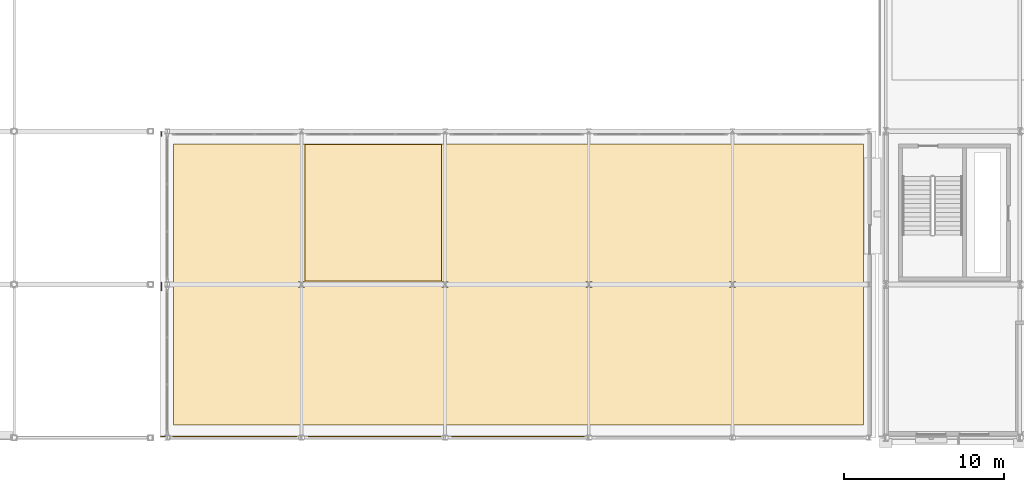
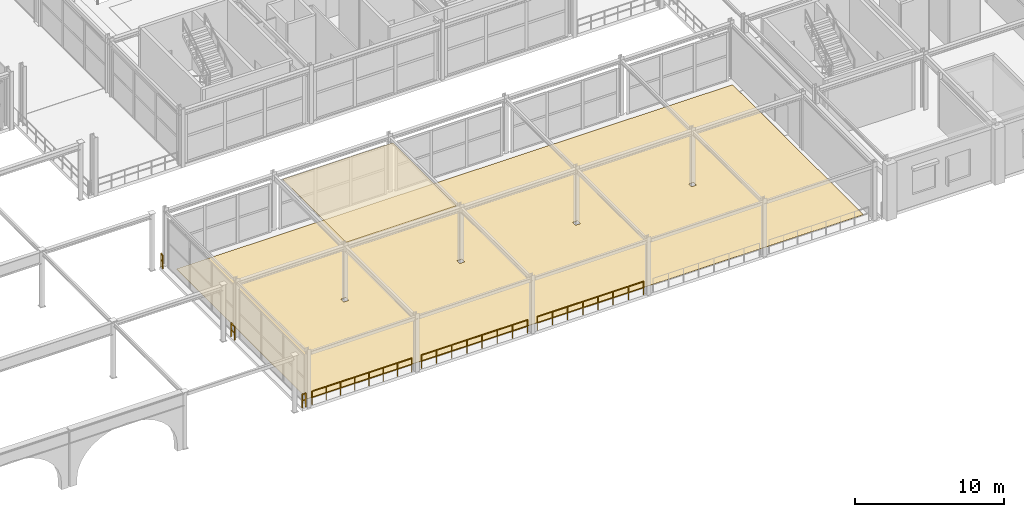
# One storey, part 96 of 125: 6 railings, 2 coverings.
"""IFC4 building model written with IfcOpenShell, lengths in metres."""

from ifc_helpers import new_model, si_unit, direction, frame, origin, origin_2d, place, context, subcontext, project, spatial, polyline, rectangle, outline, extrude, material, layer, layer_set, type_object, element, save


model = new_model("IFC4")

# Units and contexts
model_context = context("Model", 3, precision=1e-05, world=origin(), true_north=direction((0.0, 1.0)))
body_context = subcontext(model_context, "Body", "Model", "MODEL_VIEW")
ifc_project = project(units=[si_unit("LENGTHUNIT", "METRE"), si_unit("AREAUNIT", "SQUARE_METRE"), si_unit("VOLUMEUNIT", "CUBIC_METRE"), si_unit("PLANEANGLEUNIT", "RADIAN"), si_unit("MASSUNIT", "GRAM", prefix="KILO")], contexts=[model_context])

# Site, building, storey
site_placement = place(None, origin())
site = spatial("IfcSite", under=ifc_project, at=site_placement, CompositionType="ELEMENT")
building_placement = place(site_placement, origin())
building = spatial("IfcBuilding", under=site, at=building_placement, Name="Myrtia Square Station", CompositionType="ELEMENT")
storey_placement = place(building_placement, frame((0.0, 0.0, 6.0)))
storey = spatial("IfcBuildingStorey", under=building, at=storey_placement, Name="L01", CompositionType="ELEMENT", Elevation=6.0)

# Coverings
ifc_material_1 = material(Name="Gypsum plasterboard")
ifc_layer_1 = layer(ifc_material_1, 0.034912109375, Name="Gypsum plasterboard")
ifc_layer_set_1 = layer_set([ifc_layer_1], Name="Gypsum plasterboard")
covering_type_1 = type_object("IfcCoveringType", Name="COV-CEIL-ACOUSTIC", PredefinedType="CEILING", material=ifc_layer_set_1)
covering_1_placement = place(storey_placement, frame((0.0, 0.0, 4.5)))
element("IfcCovering", 1, at=covering_1_placement, inside=storey, type_object=covering_type_1, Name="Acoustic coffer ceiling L01-09", PredefinedType="CEILING", context=body_context, shape_type="SweptSolid", body=[
    extrude(outline(polyline([(89.780029296875, 18.35009765625), (89.780029296875, 9.820068359375), (81.219970703125, 9.820068359375), (81.219970703125, 18.35009765625), (89.780029296875, 18.35009765625)])), origin(), (0.0, 0.0, 1.0), 0.034912109375),
])
ifc_material_2 = material(Name="Terrazzo stone tile", Category="masonry")
ifc_layer_2 = layer(ifc_material_2, 0.02490234375, Name="Terrazzo stone tile")
ifc_layer_set_2 = layer_set([ifc_layer_2], Name="Terrazzo stone tile")
covering_type_2 = type_object("IfcCoveringType", Name="COV-FLR-TERRAZZO", PredefinedType="FLOORING", material=ifc_layer_set_2)
covering_2_placement = place(storey_placement, origin())
element("IfcCovering", 2, at=covering_2_placement, inside=storey, type_object=covering_type_2, Name="Terrazzo room flooring L01-09", PredefinedType="FLOORING", context=body_context, shape_type="SweptSolid", body=[
    extrude(outline(polyline([(73.0, 18.39990234375), (116.199951171875, 18.39990234375), (116.199951171875, 0.800048828125), (73.0, 0.800048828125), (73.0, 18.39990234375)]), holes=[polyline([(81.18994140625, 9.409912109375), (81.18994140625, 9.7900390625), (80.81005859375, 9.7900390625), (80.81005859375, 9.409912109375), (81.18994140625, 9.409912109375)]), polyline([(99.18994140625, 9.7900390625), (98.81005859375, 9.7900390625), (98.81005859375, 9.409912109375), (99.18994140625, 9.409912109375), (99.18994140625, 9.7900390625)]), polyline([(90.18994140625, 9.409912109375), (90.18994140625, 9.7900390625), (89.81005859375, 9.7900390625), (89.81005859375, 9.409912109375), (90.18994140625, 9.409912109375)]), polyline([(108.18994140625, 9.409912109375), (108.18994140625, 9.7900390625), (107.81005859375, 9.7900390625), (107.81005859375, 9.409912109375), (108.18994140625, 9.409912109375)])]), origin(), (0.0, 0.0, 1.0), 0.02490234375),
])

# Railings
ifc_material_3 = material(Name="Wrought iron", Category="steel")
railing_type = type_object("IfcRailingType", Name="RL-INT-GUARD-1100", PredefinedType="BALUSTRADE", material=ifc_material_3)
railing_1_placement = place(storey_placement, frame((72.199951171875, 0.080078125, 0.0)))
element("IfcRailing", 3, at=railing_1_placement, inside=storey, type_object=railing_type, Name="Perimeter slab edge balustrade L01-028", PredefinedType="BALUSTRADE", context=body_context, shape_type="SweptSolid", body=[
    extrude(rectangle(XDim=0.048095703125, YDim=0.048095703125, at=origin_2d()), frame((0.03466796875, 0.0, 1.09619140625), z_axis=(1.0, 0.0, 0.0), x_axis=(0.0, 1.0, 0.0)), (0.0, 0.0, 1.0), 0.1806640625),
    extrude(rectangle(XDim=0.048095703125, YDim=0.048095703125, at=origin_2d()), frame((0.03466796875, 0.0, 0.58251953125), z_axis=(1.0, 0.0, 0.0), x_axis=(0.0, 1.0, 0.0)), (0.0, 0.0, 1.0), 0.1806640625),
    extrude(rectangle(XDim=0.0439453125, YDim=0.0439453125, at=origin_2d()), origin(), (0.0, 0.0, 1.0), 1.1201171875),
    extrude(rectangle(XDim=0.0439453125, YDim=0.0439453125, at=origin_2d()), frame((0.25, 0.0, 0.0)), (0.0, 0.0, 1.0), 1.1201171875),
])
railing_2_placement = place(storey_placement, frame((72.949951171875, 0.080078125, 0.0)))
element("IfcRailing", 4, at=railing_2_placement, inside=storey, type_object=railing_type, Name="Perimeter slab edge balustrade L01-029", PredefinedType="BALUSTRADE", context=body_context, shape_type="SweptSolid", body=[
    extrude(rectangle(XDim=0.048095703125, YDim=0.048095703125, at=origin_2d()), frame((0.03466796875, 0.0, 1.09619140625), z_axis=(1.0, 0.0, 0.0), x_axis=(0.0, 1.0, 0.0)), (0.0, 0.0, 1.0), 1.037841796875),
    extrude(rectangle(XDim=0.048095703125, YDim=0.048095703125, at=origin_2d()), frame((0.03466796875, 0.0, 0.58251953125), z_axis=(1.0, 0.0, 0.0), x_axis=(0.0, 1.0, 0.0)), (0.0, 0.0, 1.0), 1.037841796875),
    extrude(rectangle(XDim=0.048095703125, YDim=0.048095703125, at=origin_2d()), frame((1.141845703125, 0.0, 1.09619140625), z_axis=(1.0, 0.0, 0.0), x_axis=(0.0, 1.0, 0.0)), (0.0, 0.0, 1.0), 1.037841796875),
    extrude(rectangle(XDim=0.048095703125, YDim=0.048095703125, at=origin_2d()), frame((1.141845703125, 0.0, 0.58251953125), z_axis=(1.0, 0.0, 0.0), x_axis=(0.0, 1.0, 0.0)), (0.0, 0.0, 1.0), 1.037841796875),
    extrude(rectangle(XDim=0.048095703125, YDim=0.048095703125, at=origin_2d()), frame((2.2490234375, 0.0, 1.09619140625), z_axis=(1.0, 0.0, 0.0), x_axis=(0.0, 1.0, 0.0)), (0.0, 0.0, 1.0), 1.037841796875),
    extrude(rectangle(XDim=0.048095703125, YDim=0.048095703125, at=origin_2d()), frame((2.2490234375, 0.0, 0.58251953125), z_axis=(1.0, 0.0, 0.0), x_axis=(0.0, 1.0, 0.0)), (0.0, 0.0, 1.0), 1.037841796875),
    extrude(rectangle(XDim=0.048095703125, YDim=0.048095703125, at=origin_2d()), frame((3.35595703125, 0.0, 1.09619140625), z_axis=(1.0, 0.0, 0.0), x_axis=(0.0, 1.0, 0.0)), (0.0, 0.0, 1.0), 1.037841796875),
    extrude(rectangle(XDim=0.048095703125, YDim=0.048095703125, at=origin_2d()), frame((3.35595703125, 0.0, 0.58251953125), z_axis=(1.0, 0.0, 0.0), x_axis=(0.0, 1.0, 0.0)), (0.0, 0.0, 1.0), 1.037841796875),
    extrude(rectangle(XDim=0.048095703125, YDim=0.048095703125, at=origin_2d()), frame((4.463134765625, 0.0, 1.09619140625), z_axis=(1.0, 0.0, 0.0), x_axis=(0.0, 1.0, 0.0)), (0.0, 0.0, 1.0), 1.037841796875),
    extrude(rectangle(XDim=0.048095703125, YDim=0.048095703125, at=origin_2d()), frame((4.463134765625, 0.0, 0.58251953125), z_axis=(1.0, 0.0, 0.0), x_axis=(0.0, 1.0, 0.0)), (0.0, 0.0, 1.0), 1.037841796875),
    extrude(rectangle(XDim=0.048095703125, YDim=0.048095703125, at=origin_2d()), frame((5.5703125, 0.0, 1.09619140625), z_axis=(1.0, 0.0, 0.0), x_axis=(0.0, 1.0, 0.0)), (0.0, 0.0, 1.0), 1.037841796875),
    extrude(rectangle(XDim=0.048095703125, YDim=0.048095703125, at=origin_2d()), frame((5.5703125, 0.0, 0.58251953125), z_axis=(1.0, 0.0, 0.0), x_axis=(0.0, 1.0, 0.0)), (0.0, 0.0, 1.0), 1.037841796875),
    extrude(rectangle(XDim=0.048095703125, YDim=0.048095703125, at=origin_2d()), frame((6.677490234375, 0.0, 1.09619140625), z_axis=(1.0, 0.0, 0.0), x_axis=(0.0, 1.0, 0.0)), (0.0, 0.0, 1.0), 1.037841796875),
    extrude(rectangle(XDim=0.048095703125, YDim=0.048095703125, at=origin_2d()), frame((6.677490234375, 0.0, 0.58251953125), z_axis=(1.0, 0.0, 0.0), x_axis=(0.0, 1.0, 0.0)), (0.0, 0.0, 1.0), 1.037841796875),
    extrude(rectangle(XDim=0.0439453125, YDim=0.0439453125, at=origin_2d()), origin(), (0.0, 0.0, 1.0), 1.1201171875),
    extrude(rectangle(XDim=0.0439453125, YDim=0.0439453125, at=origin_2d()), frame((1.107177734375, 0.0, 0.0)), (0.0, 0.0, 1.0), 1.1201171875),
    extrude(rectangle(XDim=0.0439453125, YDim=0.0439453125, at=origin_2d()), frame((2.21435546875, 0.0, 0.0)), (0.0, 0.0, 1.0), 1.1201171875),
    extrude(rectangle(XDim=0.0439453125, YDim=0.0439453125, at=origin_2d()), frame((3.321533203125, 0.0, 0.0)), (0.0, 0.0, 1.0), 1.1201171875),
    extrude(rectangle(XDim=0.0439453125, YDim=0.0439453125, at=origin_2d()), frame((4.428466796875, 0.0, 0.0)), (0.0, 0.0, 1.0), 1.1201171875),
    extrude(rectangle(XDim=0.0439453125, YDim=0.0439453125, at=origin_2d()), frame((5.53564453125, 0.0, 0.0)), (0.0, 0.0, 1.0), 1.1201171875),
    extrude(rectangle(XDim=0.0439453125, YDim=0.0439453125, at=origin_2d()), frame((6.642822265625, 0.0, 0.0)), (0.0, 0.0, 1.0), 1.1201171875),
    extrude(rectangle(XDim=0.0439453125, YDim=0.0439453125, at=origin_2d()), frame((7.75, 0.0, 0.0)), (0.0, 0.0, 1.0), 1.1201171875),
])
railing_3_placement = place(storey_placement, frame((81.449951171875, 0.080078125, 0.0)))
element("IfcRailing", 5, at=railing_3_placement, inside=storey, type_object=railing_type, Name="Perimeter slab edge balustrade L01-030", PredefinedType="BALUSTRADE", context=body_context, shape_type="SweptSolid", body=[
    extrude(rectangle(XDim=0.048095703125, YDim=0.048095703125, at=origin_2d()), frame((0.03466796875, 0.0, 1.09619140625), z_axis=(1.0, 0.0, 0.0), x_axis=(0.0, 1.0, 0.0)), (0.0, 0.0, 1.0), 1.109375),
    extrude(rectangle(XDim=0.048095703125, YDim=0.048095703125, at=origin_2d()), frame((0.03466796875, 0.0, 0.58251953125), z_axis=(1.0, 0.0, 0.0), x_axis=(0.0, 1.0, 0.0)), (0.0, 0.0, 1.0), 1.109375),
    extrude(rectangle(XDim=0.048095703125, YDim=0.048095703125, at=origin_2d()), frame((1.213134765625, 0.0, 1.09619140625), z_axis=(1.0, 0.0, 0.0), x_axis=(0.0, 1.0, 0.0)), (0.0, 0.0, 1.0), 1.109375),
    extrude(rectangle(XDim=0.048095703125, YDim=0.048095703125, at=origin_2d()), frame((1.213134765625, 0.0, 0.58251953125), z_axis=(1.0, 0.0, 0.0), x_axis=(0.0, 1.0, 0.0)), (0.0, 0.0, 1.0), 1.109375),
    extrude(rectangle(XDim=0.048095703125, YDim=0.048095703125, at=origin_2d()), frame((2.391845703125, 0.0, 1.09619140625), z_axis=(1.0, 0.0, 0.0), x_axis=(0.0, 1.0, 0.0)), (0.0, 0.0, 1.0), 1.109375),
    extrude(rectangle(XDim=0.048095703125, YDim=0.048095703125, at=origin_2d()), frame((2.391845703125, 0.0, 0.58251953125), z_axis=(1.0, 0.0, 0.0), x_axis=(0.0, 1.0, 0.0)), (0.0, 0.0, 1.0), 1.109375),
    extrude(rectangle(XDim=0.048095703125, YDim=0.048095703125, at=origin_2d()), frame((3.5703125, 0.0, 1.09619140625), z_axis=(1.0, 0.0, 0.0), x_axis=(0.0, 1.0, 0.0)), (0.0, 0.0, 1.0), 1.109375),
    extrude(rectangle(XDim=0.048095703125, YDim=0.048095703125, at=origin_2d()), frame((3.5703125, 0.0, 0.58251953125), z_axis=(1.0, 0.0, 0.0), x_axis=(0.0, 1.0, 0.0)), (0.0, 0.0, 1.0), 1.109375),
    extrude(rectangle(XDim=0.048095703125, YDim=0.048095703125, at=origin_2d()), frame((4.7490234375, 0.0, 1.09619140625), z_axis=(1.0, 0.0, 0.0), x_axis=(0.0, 1.0, 0.0)), (0.0, 0.0, 1.0), 1.109375),
    extrude(rectangle(XDim=0.048095703125, YDim=0.048095703125, at=origin_2d()), frame((4.7490234375, 0.0, 0.58251953125), z_axis=(1.0, 0.0, 0.0), x_axis=(0.0, 1.0, 0.0)), (0.0, 0.0, 1.0), 1.109375),
    extrude(rectangle(XDim=0.048095703125, YDim=0.048095703125, at=origin_2d()), frame((5.927490234375, 0.0, 1.09619140625), z_axis=(1.0, 0.0, 0.0), x_axis=(0.0, 1.0, 0.0)), (0.0, 0.0, 1.0), 1.109375),
    extrude(rectangle(XDim=0.048095703125, YDim=0.048095703125, at=origin_2d()), frame((5.927490234375, 0.0, 0.58251953125), z_axis=(1.0, 0.0, 0.0), x_axis=(0.0, 1.0, 0.0)), (0.0, 0.0, 1.0), 1.109375),
    extrude(rectangle(XDim=0.048095703125, YDim=0.048095703125, at=origin_2d()), frame((7.10595703125, 0.0, 1.09619140625), z_axis=(1.0, 0.0, 0.0), x_axis=(0.0, 1.0, 0.0)), (0.0, 0.0, 1.0), 1.109375),
    extrude(rectangle(XDim=0.048095703125, YDim=0.048095703125, at=origin_2d()), frame((7.10595703125, 0.0, 0.58251953125), z_axis=(1.0, 0.0, 0.0), x_axis=(0.0, 1.0, 0.0)), (0.0, 0.0, 1.0), 1.109375),
    extrude(rectangle(XDim=0.0439453125, YDim=0.0439453125, at=origin_2d()), origin(), (0.0, 0.0, 1.0), 1.1201171875),
    extrude(rectangle(XDim=0.0439453125, YDim=0.0439453125, at=origin_2d()), frame((1.178466796875, 0.0, 0.0)), (0.0, 0.0, 1.0), 1.1201171875),
    extrude(rectangle(XDim=0.0439453125, YDim=0.0439453125, at=origin_2d()), frame((2.357177734375, 0.0, 0.0)), (0.0, 0.0, 1.0), 1.1201171875),
    extrude(rectangle(XDim=0.0439453125, YDim=0.0439453125, at=origin_2d()), frame((3.53564453125, 0.0, 0.0)), (0.0, 0.0, 1.0), 1.1201171875),
    extrude(rectangle(XDim=0.0439453125, YDim=0.0439453125, at=origin_2d()), frame((4.71435546875, 0.0, 0.0)), (0.0, 0.0, 1.0), 1.1201171875),
    extrude(rectangle(XDim=0.0439453125, YDim=0.0439453125, at=origin_2d()), frame((5.892822265625, 0.0, 0.0)), (0.0, 0.0, 1.0), 1.1201171875),
    extrude(rectangle(XDim=0.0439453125, YDim=0.0439453125, at=origin_2d()), frame((7.071533203125, 0.0, 0.0)), (0.0, 0.0, 1.0), 1.1201171875),
    extrude(rectangle(XDim=0.0439453125, YDim=0.0439453125, at=origin_2d()), frame((8.25, 0.0, 0.0)), (0.0, 0.0, 1.0), 1.1201171875),
])
railing_4_placement = place(storey_placement, frame((90.449951171875, 0.080078125, 0.0)))
element("IfcRailing", 6, at=railing_4_placement, inside=storey, type_object=railing_type, Name="Perimeter slab edge balustrade L01-031", PredefinedType="BALUSTRADE", context=body_context, shape_type="SweptSolid", body=[
    extrude(rectangle(XDim=0.048095703125, YDim=0.048095703125, at=origin_2d()), frame((0.03466796875, 0.0, 1.09619140625), z_axis=(1.0, 0.0, 0.0), x_axis=(0.0, 1.0, 0.0)), (0.0, 0.0, 1.0), 1.109375),
    extrude(rectangle(XDim=0.048095703125, YDim=0.048095703125, at=origin_2d()), frame((0.03466796875, 0.0, 0.58251953125), z_axis=(1.0, 0.0, 0.0), x_axis=(0.0, 1.0, 0.0)), (0.0, 0.0, 1.0), 1.109375),
    extrude(rectangle(XDim=0.048095703125, YDim=0.048095703125, at=origin_2d()), frame((1.213134765625, 0.0, 1.09619140625), z_axis=(1.0, 0.0, 0.0), x_axis=(0.0, 1.0, 0.0)), (0.0, 0.0, 1.0), 1.109375),
    extrude(rectangle(XDim=0.048095703125, YDim=0.048095703125, at=origin_2d()), frame((1.213134765625, 0.0, 0.58251953125), z_axis=(1.0, 0.0, 0.0), x_axis=(0.0, 1.0, 0.0)), (0.0, 0.0, 1.0), 1.109375),
    extrude(rectangle(XDim=0.048095703125, YDim=0.048095703125, at=origin_2d()), frame((2.391845703125, 0.0, 1.09619140625), z_axis=(1.0, 0.0, 0.0), x_axis=(0.0, 1.0, 0.0)), (0.0, 0.0, 1.0), 1.109375),
    extrude(rectangle(XDim=0.048095703125, YDim=0.048095703125, at=origin_2d()), frame((2.391845703125, 0.0, 0.58251953125), z_axis=(1.0, 0.0, 0.0), x_axis=(0.0, 1.0, 0.0)), (0.0, 0.0, 1.0), 1.109375),
    extrude(rectangle(XDim=0.048095703125, YDim=0.048095703125, at=origin_2d()), frame((3.5703125, 0.0, 1.09619140625), z_axis=(1.0, 0.0, 0.0), x_axis=(0.0, 1.0, 0.0)), (0.0, 0.0, 1.0), 1.109375),
    extrude(rectangle(XDim=0.048095703125, YDim=0.048095703125, at=origin_2d()), frame((3.5703125, 0.0, 0.58251953125), z_axis=(1.0, 0.0, 0.0), x_axis=(0.0, 1.0, 0.0)), (0.0, 0.0, 1.0), 1.109375),
    extrude(rectangle(XDim=0.048095703125, YDim=0.048095703125, at=origin_2d()), frame((4.7490234375, 0.0, 1.09619140625), z_axis=(1.0, 0.0, 0.0), x_axis=(0.0, 1.0, 0.0)), (0.0, 0.0, 1.0), 1.109375),
    extrude(rectangle(XDim=0.048095703125, YDim=0.048095703125, at=origin_2d()), frame((4.7490234375, 0.0, 0.58251953125), z_axis=(1.0, 0.0, 0.0), x_axis=(0.0, 1.0, 0.0)), (0.0, 0.0, 1.0), 1.109375),
    extrude(rectangle(XDim=0.048095703125, YDim=0.048095703125, at=origin_2d()), frame((5.927490234375, 0.0, 1.09619140625), z_axis=(1.0, 0.0, 0.0), x_axis=(0.0, 1.0, 0.0)), (0.0, 0.0, 1.0), 1.109375),
    extrude(rectangle(XDim=0.048095703125, YDim=0.048095703125, at=origin_2d()), frame((5.927490234375, 0.0, 0.58251953125), z_axis=(1.0, 0.0, 0.0), x_axis=(0.0, 1.0, 0.0)), (0.0, 0.0, 1.0), 1.109375),
    extrude(rectangle(XDim=0.048095703125, YDim=0.048095703125, at=origin_2d()), frame((7.10595703125, 0.0, 1.09619140625), z_axis=(1.0, 0.0, 0.0), x_axis=(0.0, 1.0, 0.0)), (0.0, 0.0, 1.0), 1.109375),
    extrude(rectangle(XDim=0.048095703125, YDim=0.048095703125, at=origin_2d()), frame((7.10595703125, 0.0, 0.58251953125), z_axis=(1.0, 0.0, 0.0), x_axis=(0.0, 1.0, 0.0)), (0.0, 0.0, 1.0), 1.109375),
    extrude(rectangle(XDim=0.0439453125, YDim=0.0439453125, at=origin_2d()), origin(), (0.0, 0.0, 1.0), 1.1201171875),
    extrude(rectangle(XDim=0.0439453125, YDim=0.0439453125, at=origin_2d()), frame((1.178466796875, 0.0, 0.0)), (0.0, 0.0, 1.0), 1.1201171875),
    extrude(rectangle(XDim=0.0439453125, YDim=0.0439453125, at=origin_2d()), frame((2.357177734375, 0.0, 0.0)), (0.0, 0.0, 1.0), 1.1201171875),
    extrude(rectangle(XDim=0.0439453125, YDim=0.0439453125, at=origin_2d()), frame((3.53564453125, 0.0, 0.0)), (0.0, 0.0, 1.0), 1.1201171875),
    extrude(rectangle(XDim=0.0439453125, YDim=0.0439453125, at=origin_2d()), frame((4.71435546875, 0.0, 0.0)), (0.0, 0.0, 1.0), 1.1201171875),
    extrude(rectangle(XDim=0.0439453125, YDim=0.0439453125, at=origin_2d()), frame((5.892822265625, 0.0, 0.0)), (0.0, 0.0, 1.0), 1.1201171875),
    extrude(rectangle(XDim=0.0439453125, YDim=0.0439453125, at=origin_2d()), frame((7.071533203125, 0.0, 0.0)), (0.0, 0.0, 1.0), 1.1201171875),
    extrude(rectangle(XDim=0.0439453125, YDim=0.0439453125, at=origin_2d()), frame((8.25, 0.0, 0.0)), (0.0, 0.0, 1.0), 1.1201171875),
])
railing_5_placement = place(storey_placement, frame((72.22998046875, 19.14990234375, 0.0)))
element("IfcRailing", 7, at=railing_5_placement, inside=storey, type_object=railing_type, Name="Perimeter slab edge balustrade L01-034", PredefinedType="BALUSTRADE", context=body_context, shape_type="SweptSolid", body=[
    extrude(rectangle(XDim=0.048095703125, YDim=0.048095703125, at=origin_2d()), frame((0.0, -0.03466796875, 1.09619140625), z_axis=(0.0, -1.0, 0.0), x_axis=(1.0, 0.0, 0.0)), (0.0, 0.0, 1.0), 0.178466796875),
    extrude(rectangle(XDim=0.048095703125, YDim=0.048095703125, at=origin_2d()), frame((0.0, -0.03466796875, 0.58251953125), z_axis=(0.0, -1.0, 0.0), x_axis=(1.0, 0.0, 0.0)), (0.0, 0.0, 1.0), 0.178466796875),
    extrude(rectangle(XDim=0.0439453125, YDim=0.0439453125, at=origin_2d()), origin(), (0.0, 0.0, 1.0), 1.1201171875),
    extrude(rectangle(XDim=0.0439453125, YDim=0.0439453125, at=origin_2d()), frame((0.0, -0.247802734375, 0.0)), (0.0, 0.0, 1.0), 1.1201171875),
])
railing_6_placement = place(storey_placement, frame((72.22998046875, 9.72412109375, 0.0)))
element("IfcRailing", 8, at=railing_6_placement, inside=storey, type_object=railing_type, Name="Perimeter slab edge balustrade L01-035", PredefinedType="BALUSTRADE", context=body_context, shape_type="SweptSolid", body=[
    extrude(rectangle(XDim=0.048095703125, YDim=0.048095703125, at=origin_2d()), frame((0.0, -0.03466796875, 1.09619140625), z_axis=(0.0, -1.0, 0.0), x_axis=(1.0, 0.0, 0.0)), (0.0, 0.0, 1.0), 0.4267578125),
    extrude(rectangle(XDim=0.048095703125, YDim=0.048095703125, at=origin_2d()), frame((0.0, -0.03466796875, 0.58251953125), z_axis=(0.0, -1.0, 0.0), x_axis=(1.0, 0.0, 0.0)), (0.0, 0.0, 1.0), 0.4267578125),
    extrude(rectangle(XDim=0.0439453125, YDim=0.0439453125, at=origin_2d()), origin(), (0.0, 0.0, 1.0), 1.1201171875),
    extrude(rectangle(XDim=0.0439453125, YDim=0.0439453125, at=origin_2d()), frame((0.0, -0.49609375, 0.0)), (0.0, 0.0, 1.0), 1.1201171875),
])

save(model, "model.ifc")
